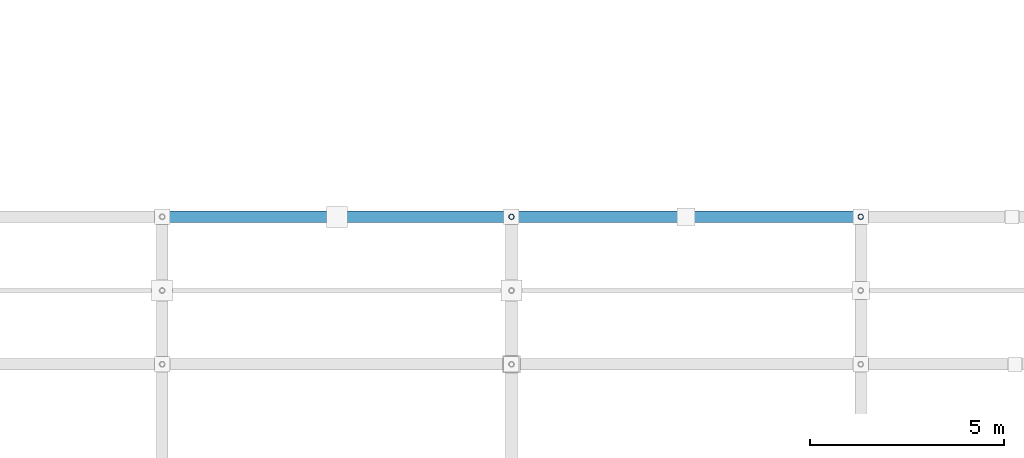
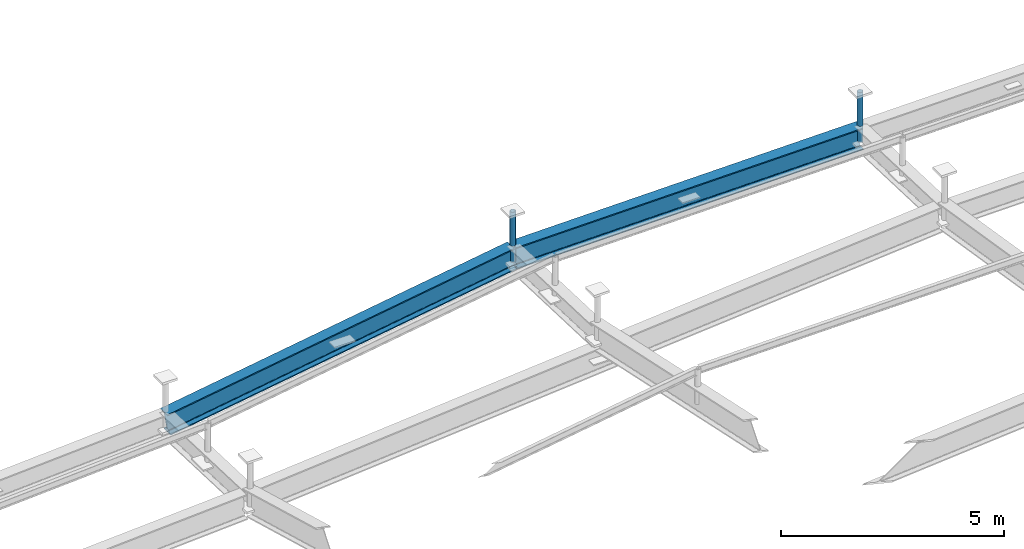
# One storey, part 63 of 80: 2 beams, 2 members.
"""IFC4 building model written with IfcOpenShell, lengths in metres."""

from ifc_helpers import new_model, si_unit, direction, frame, origin, origin_2d, place, context, subcontext, project, spatial, hollow_circle, i_section, extrude, material, material_profile, profile_set, type_object, element, save


model = new_model("IFC4")

# Units and contexts
model_context = context("Model", 3, precision=1e-05, world=origin(), true_north=direction((0.0, 1.0)))
body_context = subcontext(model_context, "Body", "Model", "MODEL_VIEW")
ifc_project = project(units=[si_unit("LENGTHUNIT", "METRE"), si_unit("AREAUNIT", "SQUARE_METRE"), si_unit("VOLUMEUNIT", "CUBIC_METRE"), si_unit("PLANEANGLEUNIT", "RADIAN"), si_unit("MASSUNIT", "GRAM", prefix="KILO")], contexts=[model_context])

# Site, building, storey
site_placement = place(None, origin())
site = spatial("IfcSite", under=ifc_project, at=site_placement, CompositionType="ELEMENT")
building_placement = place(site_placement, origin())
building = spatial("IfcBuilding", under=site, at=building_placement, Name="Barlavento Convention Centre", CompositionType="ELEMENT")
storey_placement = place(building_placement, frame((0.0, 0.0, 29.800048828125)))
storey = spatial("IfcBuildingStorey", under=building, at=storey_placement, Name="RF", CompositionType="ELEMENT", Elevation=29.800048828125)

# Beams
ifc_material = material(Name="Steel S355", Category="steel")
ifc_material_profile_1 = material_profile(ifc_material, i_section(OverallWidth=0.300048828125, OverallDepth=0.60009765625, WebThickness=0.015380859375, FlangeThickness=0.030029296875, FilletRadius=0.027099609375, at=origin_2d()), Name="HEB 600")
ifc_profile_set_1 = profile_set([ifc_material_profile_1], Name="Steel S355")
beam_type = type_object("IfcBeamType", Name="STR-BM-CANT-HEB600", PredefinedType="BEAM", material=ifc_profile_set_1)
beam_1_placement = place(storey_placement, frame((45.0048828125, 57.800048828125, -6.456298828125), z_axis=(0.987879711266, 0.0, 0.155221377617), x_axis=(0.0, 1.0, 0.0)))
element("IfcBeam", 1, at=beam_1_placement, inside=storey, type_object=beam_type, Name="Congress roof truss space frame chord", PredefinedType="BEAM", context=body_context, shape_type="SweptSolid", body=[
    extrude(i_section(OverallWidth=0.300048828125, OverallDepth=0.60009765625, WebThickness=0.015380859375, FlangeThickness=0.030029296875, FilletRadius=0.027099609375, at=origin_2d()), origin(), (0.0, 0.0, 1.0), 9.1005859375),
])
beam_2_placement = place(storey_placement, frame((54.0048828125, 57.800048828125, -5.043701171875), z_axis=(0.999894477056, 0.0, 0.014527035228), x_axis=(0.0, 1.0, 0.0)))
element("IfcBeam", 2, at=beam_2_placement, inside=storey, type_object=beam_type, Name="Congress roof truss space frame chord", PredefinedType="BEAM", context=body_context, shape_type="SweptSolid", body=[
    extrude(i_section(OverallWidth=0.300048828125, OverallDepth=0.60009765625, WebThickness=0.015380859375, FlangeThickness=0.030029296875, FilletRadius=0.027099609375, at=origin_2d()), origin(), (0.0, 0.0, 1.0), 8.9912109375),
])

# Members
ifc_material_profile_2 = material_profile(ifc_material, hollow_circle(Radius=0.06982421875, WallThickness=0.008056640625, at=origin_2d()), Name="CHS 139.7x8.0")
ifc_profile_set_2 = profile_set([ifc_material_profile_2], Name="Steel S355")
member_type = type_object("IfcMemberType", Name="STR-MEM-DIAG-CHS139", PredefinedType="BRACE", material=ifc_profile_set_2)
for number, where, z_axis, x_axis, name in (
    (3, (54.0, 57.800048828125, -5.19384765625), (0.0, 0.0, 1.0), (1.0, 0.0, 0.0), "Congress space frame vertical node post TD04"),
    (4, (63.0, 57.800048828125, -5.063232421875), (0.0, 0.0, 1.0), (1.0, 0.0, 0.0), "Congress space frame vertical node post TD04"),
):
    element("IfcMember", number, at=place(storey_placement, frame(where, z_axis=z_axis, x_axis=x_axis)), inside=storey, type_object=member_type, Name=name, PredefinedType="BRACE", context=body_context, shape_type="SweptSolid", body=[
        extrude(hollow_circle(Radius=0.06982421875, WallThickness=0.008056640625, at=origin_2d()), origin(), (0.0, 0.0, 1.0), 1.3701171875),
    ])

save(model, "model.ifc")
